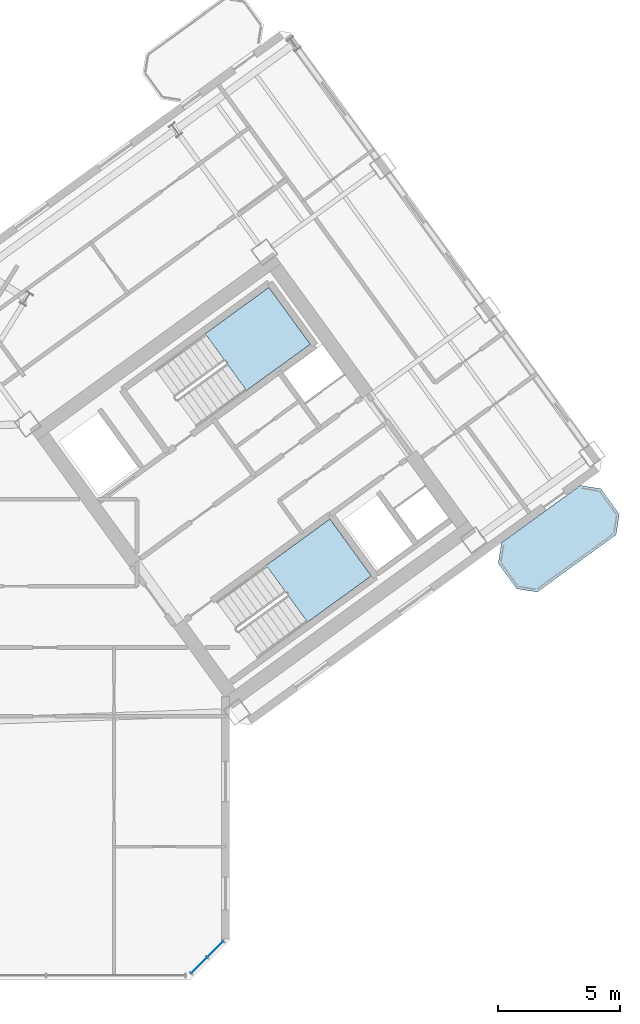
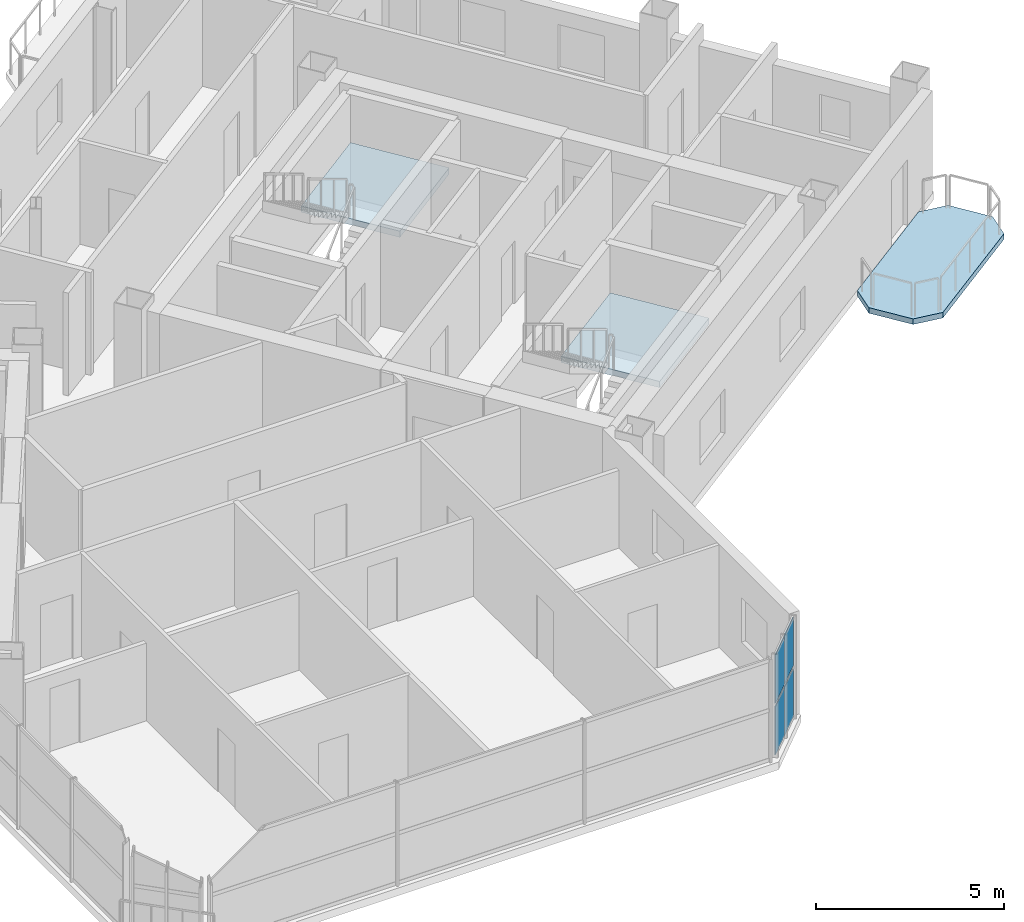
# One storey, part 10 of 20: 4 plates, 3 slabs, 3 elements without a shape of their own.
"""IFC4 building model written with IfcOpenShell, lengths in metres."""

from ifc_helpers import new_model, si_unit, direction, frame, origin, origin_2d, place, context, subcontext, project, spatial, polyline, rectangle, outline, extrude, source, transform, mapped, material, layer, layer_set, type_object, element, aggregate, save


model = new_model("IFC4")

# Units and contexts
model_context = context("Model", 3, precision=1e-05, world=origin(), true_north=direction((0.0, 1.0)))
body_context = subcontext(model_context, "Body", "Model", "MODEL_VIEW")
ifc_project = project(units=[si_unit("LENGTHUNIT", "METRE"), si_unit("AREAUNIT", "SQUARE_METRE"), si_unit("VOLUMEUNIT", "CUBIC_METRE"), si_unit("PLANEANGLEUNIT", "RADIAN"), si_unit("MASSUNIT", "GRAM", prefix="KILO")], contexts=[model_context])

# Site, building, storey
site_placement = place(None, origin())
site = spatial("IfcSite", under=ifc_project, at=site_placement, CompositionType="ELEMENT")
building_placement = place(site_placement, origin())
building = spatial("IfcBuilding", under=site, at=building_placement, Name="Tlacorven Tower", CompositionType="ELEMENT")
storey_placement = place(building_placement, frame((0.0, 0.0, 204.0)))
storey = spatial("IfcBuildingStorey", under=building, at=storey_placement, Name="L51", CompositionType="ELEMENT", Elevation=204.0)

# Slab
ifc_material_1 = material(Name="Precast concrete C45/55", Category="concrete")
ifc_layer_1 = layer(ifc_material_1, 0.179931640625)
ifc_layer_set_1 = layer_set([ifc_layer_1], Name="Precast concrete C45/55")
slab_type_1 = type_object("IfcSlabType", Name="SL-BAL-180", PredefinedType="USERDEFINED", material=ifc_layer_set_1)
slab_1_placement = place(storey_placement, frame((0.0, 0.0, -0.179931640625)))
element("IfcSlab", 1, at=slab_1_placement, inside=storey, type_object=slab_type_1, Name="L51 East Wing Balcony Ribbon OUT", ObjectType="BALCONY SLAB", PredefinedType="USERDEFINED", context=body_context, shape_type="SweptSolid", body=[
    extrude(outline(polyline([(65.025634765625, 17.69482421875), (68.26171875, 20.046142578125), (68.394287109375, 20.884033203125), (67.633056640625, 21.931884765625), (66.795166015625, 22.064453125), (63.55908203125, 19.71337890625), (63.42626953125, 18.875244140625), (64.1875, 17.82763671875), (65.025634765625, 17.69482421875)])), origin(), (0.0, 0.0, 1.0), 0.179931640625),
])

# Stair, slab
ifc_material_2 = material(Name="Concrete C40/50", Category="concrete")
stair_type = type_object("IfcStairType", Name="ST-CORE-DLG", PredefinedType="HALF_TURN_STAIR", material=ifc_material_2)
stair_1_placement = place(storey_placement, origin())
stair_1 = element("IfcStair", 2, at=stair_1_placement, inside=storey, type_object=stair_type, Name="L51 Protected Exit Stair East 1", PredefinedType="HALF_TURN_STAIR")
ifc_layer_2 = layer(ifc_material_2, 0.199951171875)
ifc_layer_set_2 = layer_set([ifc_layer_2], Name="Concrete C40/50")
slab_type_2 = type_object("IfcSlabType", Name="SL-LND-200", PredefinedType="LANDING", material=ifc_layer_set_2)
slab_2_placement = place(storey_placement, frame((0.0, 0.0, 1.60009765625)))
slab_2 = element("IfcSlab", 3, at=slab_2_placement, type_object=slab_type_2, Name="ST-E1 landing 1", PredefinedType="LANDING", context=body_context, shape_type="SweptSolid", body=[
    extrude(outline(polyline([(53.09765625, 25.962890625), (55.7109375, 27.861572265625), (54.01806640625, 30.19140625), (51.40478515625, 28.29296875), (53.09765625, 25.962890625)])), origin(), (0.0, 0.0, 1.0), 0.199951171875),
])
aggregate(stair_1, [slab_2])

stair_2_placement = place(storey_placement, origin())
stair_2 = element("IfcStair", 4, at=stair_2_placement, inside=storey, type_object=stair_type, Name="L51 Protected Exit Stair East 2", PredefinedType="HALF_TURN_STAIR")
slab_3_placement = place(storey_placement, frame((0.0, 0.0, 1.60009765625)))
slab_3 = element("IfcSlab", 5, at=slab_3_placement, type_object=slab_type_2, Name="ST-E2 landing 1", PredefinedType="LANDING", context=body_context, shape_type="SweptSolid", body=[
    extrude(outline(polyline([(55.601806640625, 16.4599609375), (58.21484375, 18.3583984375), (56.52197265625, 20.6884765625), (53.908935546875, 18.789794921875), (55.601806640625, 16.4599609375)])), origin(), (0.0, 0.0, 1.0), 0.199951171875),
])
aggregate(stair_2, [slab_3])

# Curtain wall, plates
ifc_material_3 = material(Name="Dark solar low-E double glazing in aluminium frame", Category="aluminium")
curtain_wall_type = type_object("IfcCurtainWallType", Name="CW-TWR-HIGH", PredefinedType="USERDEFINED", material=ifc_material_3)
curtain_wall_placement = place(storey_placement, origin())
curtain_wall = element("IfcCurtainWall", 6, at=curtain_wall_placement, inside=storey, type_object=curtain_wall_type, Name="L51 CW-TWR-HIGH Curtain Wall 232", ObjectType="UNITISED CURTAIN WALL", PredefinedType="USERDEFINED")
ifc_material_4 = material(Name="High-wind dark solar tempered low-E glazing", Category="glass")
ifc_layer_3 = layer(ifc_material_4, 0.028076171875)
ifc_layer_set_3 = layer_set([ifc_layer_3], Name="High-wind dark solar tempered low-E glazing")
plate_type = type_object("IfcPlateType", Name="CWP-03", PredefinedType="CURTAIN_PANEL", material=ifc_layer_set_3)
shared_shape = source(origin(), body_context, "Body", "SweptSolid", [
    extrude(rectangle(XDim=0.89306640625, YDim=0.028076171875, at=origin_2d()), origin(), (0.0, 0.0, 1.0), 1.572998046875),
])
plate_1_placement = place(storey_placement, frame((51.8173828125, 3.043701171875, 0.05078125), z_axis=(0.0, 0.0, 1.0), x_axis=(-0.707106781187, -0.707106781187, 0.0)))
plate_1 = element("IfcPlate", 7, at=plate_1_placement, type_object=plate_type, Name="CW-L51-232 Glazing Panel 1", PredefinedType="CURTAIN_PANEL", context=body_context, shape_type="MappedRepresentation", body=[
    mapped(shared_shape, transform((0.0, 0.0, 0.0), scale=1.0)),
])
plate_2_placement = place(storey_placement, frame((51.8173828125, 3.043701171875, 1.72607421875), z_axis=(0.0, 0.0, 1.0), x_axis=(-0.707106781187, -0.707106781187, 0.0)))
plate_2 = element("IfcPlate", 8, at=plate_2_placement, type_object=plate_type, Name="CW-L51-232 Glazing Panel 2", PredefinedType="CURTAIN_PANEL", context=body_context, shape_type="MappedRepresentation", body=[
    mapped(shared_shape, transform((0.0, 0.0, 0.0), scale=1.0)),
])
plate_3_placement = place(storey_placement, frame((51.15625, 2.382568359375, 0.05078125), z_axis=(0.0, 0.0, 1.0), x_axis=(-0.707106781187, -0.707106781187, 0.0)))
plate_3 = element("IfcPlate", 9, at=plate_3_placement, type_object=plate_type, Name="CW-L51-232 Glazing Panel 3", PredefinedType="CURTAIN_PANEL", context=body_context, shape_type="MappedRepresentation", body=[
    mapped(shared_shape, transform((0.0, 0.0, 0.0), scale=1.0)),
])
plate_4_placement = place(storey_placement, frame((51.15625, 2.382568359375, 1.72607421875), z_axis=(0.0, 0.0, 1.0), x_axis=(-0.707106781187, -0.707106781187, 0.0)))
plate_4 = element("IfcPlate", 10, at=plate_4_placement, type_object=plate_type, Name="CW-L51-232 Glazing Panel 4", PredefinedType="CURTAIN_PANEL", context=body_context, shape_type="MappedRepresentation", body=[
    mapped(shared_shape, transform((0.0, 0.0, 0.0), scale=1.0)),
])
aggregate(curtain_wall, [plate_1, plate_2, plate_3, plate_4])

save(model, "model.ifc")
